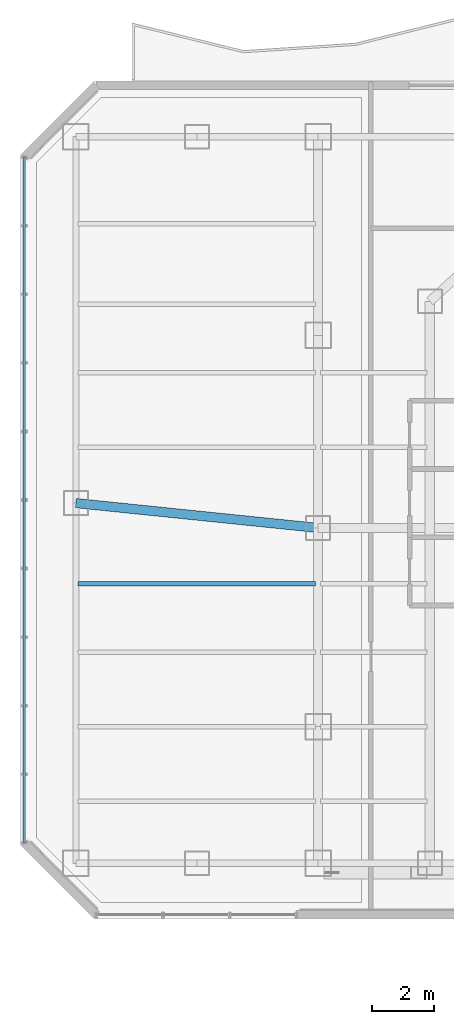
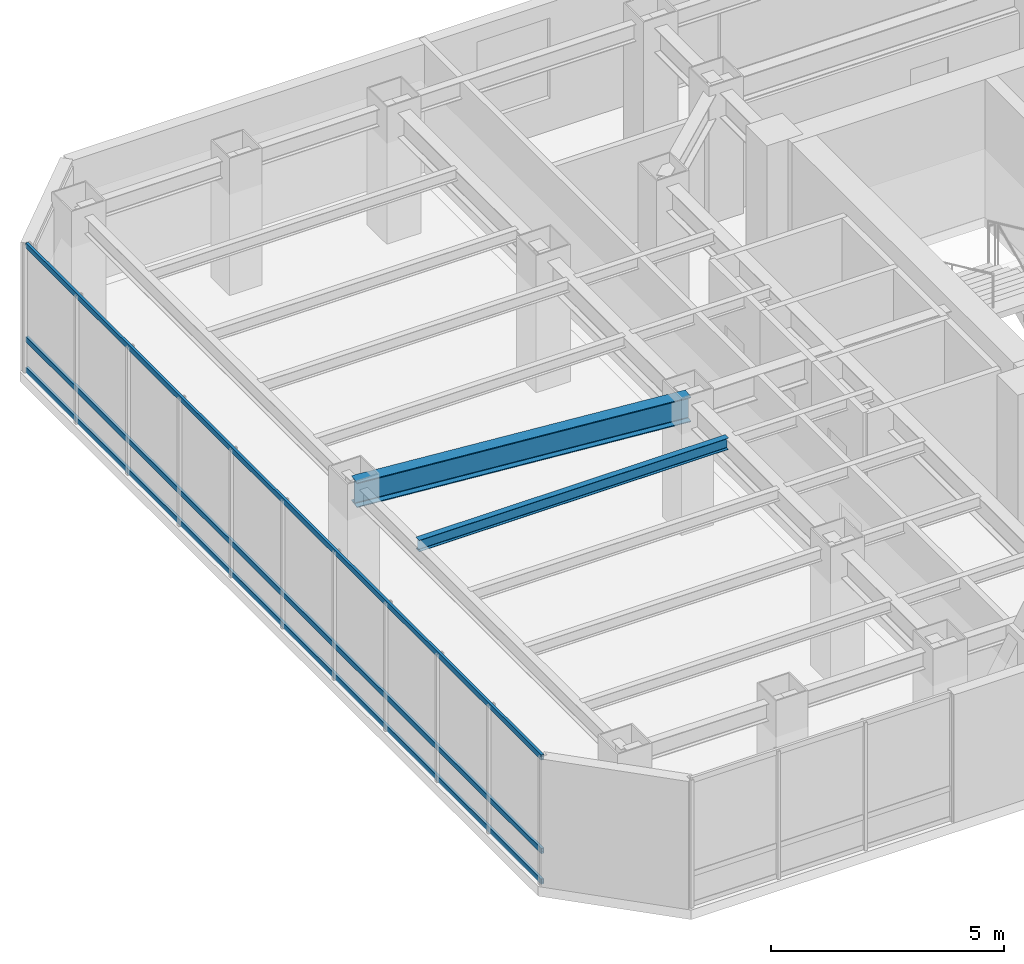
# One storey, part 7 of 26: 3 members, 2 beams, 1 element without a shape of its own.
"""IFC4 building model written with IfcOpenShell, lengths in metres."""

from ifc_helpers import new_model, si_unit, direction, frame, origin, origin_2d, place, context, subcontext, project, spatial, hollow_rectangle, i_section, extrude, material, layer, layer_set, material_profile, profile_set, type_object, element, aggregate, save


model = new_model("IFC4")

# Units and contexts
model_context = context("Model", 3, precision=1e-05, world=origin(), true_north=direction((0.0, 1.0)))
body_context = subcontext(model_context, "Body", "Model", "MODEL_VIEW")
ifc_project = project(units=[si_unit("LENGTHUNIT", "METRE"), si_unit("AREAUNIT", "SQUARE_METRE"), si_unit("VOLUMEUNIT", "CUBIC_METRE"), si_unit("PLANEANGLEUNIT", "RADIAN"), si_unit("MASSUNIT", "GRAM", prefix="KILO")], contexts=[model_context])

# Site, building, storey
site_placement = place(None, origin())
site = spatial("IfcSite", under=ifc_project, at=site_placement, CompositionType="ELEMENT")
building_placement = place(site_placement, origin())
building = spatial("IfcBuilding", under=site, at=building_placement, Name="Hatsunagi Terrace Concourse", CompositionType="ELEMENT")
storey_placement = place(building_placement, frame((0.0, 0.0, 134.85009765625)))
storey = spatial("IfcBuildingStorey", under=building, at=storey_placement, Name="L35", CompositionType="ELEMENT", Elevation=134.85009765625)

# Curtain wall, members
ifc_material_1 = material(Name="Anodised Aluminium Alloy 6063-T5", Category="aluminium")
ifc_layer = layer(ifc_material_1, 0.199951171875)
ifc_layer_set = layer_set([ifc_layer], Name="OfficeZone1_CW03")
curtain_wall_type = type_object("IfcCurtainWallType", Name="OfficeZone1_CW03", PredefinedType="NOTDEFINED", material=ifc_layer_set)
curtain_wall_placement = place(storey_placement, origin())
curtain_wall = element("IfcCurtainWall", 1, at=curtain_wall_placement, inside=storey, type_object=curtain_wall_type, Name="Unitised Curtain Wall CW-03 CW-L35-09", PredefinedType="NOTDEFINED")
ifc_material_2 = material(Name="Anodised Aluminium Alloy 6063-T5", Category="aluminium")
ifc_material_profile_1 = material_profile(ifc_material_2, hollow_rectangle(XDim=0.06494140625, YDim=0.139892578125, WallThickness=0.00390625, at=origin_2d()), Name="ALU-TRN-140x65x4")
ifc_profile_set_1 = profile_set([ifc_material_profile_1], Name="Anodised Aluminium Alloy 6063-T5")
member_type = type_object("IfcMemberType", Name="CurtainWallTransom_140x65", PredefinedType="USERDEFINED", material=ifc_profile_set_1)
member_1_placement = place(storey_placement, frame((9.739990234375, 25.85791015625, 0.0498046875), z_axis=(0.0, 1.0, 0.0), x_axis=(-1.0, 0.0, 0.0)))
member_1 = element("IfcMember", 2, at=member_1_placement, type_object=member_type, Name="Curtain Wall Transom TRN-02", ObjectType="TRANSOM", PredefinedType="USERDEFINED", context=body_context, shape_type="SweptSolid", body=[
    extrude(hollow_rectangle(XDim=0.06494140625, YDim=0.139892578125, WallThickness=0.00390625, at=origin_2d()), origin(), (0.0, 0.0, 1.0), 22.083984375),
])
member_2_placement = place(storey_placement, frame((9.739990234375, 25.85791015625, 0.849853515625), z_axis=(0.0, 1.0, 0.0), x_axis=(-1.0, 0.0, 0.0)))
member_2 = element("IfcMember", 3, at=member_2_placement, type_object=member_type, Name="Curtain Wall Transom TRN-02", ObjectType="TRANSOM", PredefinedType="USERDEFINED", context=body_context, shape_type="SweptSolid", body=[
    extrude(hollow_rectangle(XDim=0.06494140625, YDim=0.139892578125, WallThickness=0.00390625, at=origin_2d()), origin(), (0.0, 0.0, 1.0), 22.083984375),
])
member_3_placement = place(storey_placement, frame((9.739990234375, 25.85791015625, 3.2998046875), z_axis=(0.0, 1.0, 0.0), x_axis=(-1.0, 0.0, 0.0)))
member_3 = element("IfcMember", 4, at=member_3_placement, type_object=member_type, Name="Curtain Wall Transom TRN-02", ObjectType="TRANSOM", PredefinedType="USERDEFINED", context=body_context, shape_type="SweptSolid", body=[
    extrude(hollow_rectangle(XDim=0.06494140625, YDim=0.139892578125, WallThickness=0.00390625, at=origin_2d()), origin(), (0.0, 0.0, 1.0), 22.083984375),
])
aggregate(curtain_wall, [member_1, member_2, member_3])

# Beams
ifc_material_3 = material(Name="Steel SN490B", Category="steel")
ifc_material_profile_2 = material_profile(ifc_material_3, i_section(OverallWidth=0.14990234375, OverallDepth=0.300048828125, WebThickness=0.006591796875, FlangeThickness=0.009033203125, FilletRadius=0.010986328125, at=origin_2d()), Name="H-300x150x6.5x9")
ifc_profile_set_2 = profile_set([ifc_material_profile_2], Name="Steel SN490B")
beam_type_1 = type_object("IfcBeamType", Name="OfficeJoist_H_300x150", PredefinedType="JOIST", material=ifc_profile_set_2)
beam_1_placement = place(storey_placement, frame((11.465087890625, 34.199951171875, 3.199951171875), z_axis=(1.0, 0.0, 0.0), x_axis=(0.0, 1.0, 0.0)))
element("IfcBeam", 5, at=beam_1_placement, inside=storey, type_object=beam_type_1, Name="Beam J-03 J-L35-W-11-342", PredefinedType="JOIST", context=body_context, shape_type="SweptSolid", body=[
    extrude(i_section(OverallWidth=0.14990234375, OverallDepth=0.300048828125, WebThickness=0.006591796875, FlangeThickness=0.009033203125, FilletRadius=0.010986328125, at=origin_2d()), origin(), (0.0, 0.0, 1.0), 7.64990234375),
])
ifc_material_4 = material(Name="Steel SN490B", Category="steel")
ifc_material_profile_3 = material_profile(ifc_material_4, i_section(OverallWidth=0.300048828125, OverallDepth=0.64990234375, WebThickness=0.012939453125, FlangeThickness=0.02197265625, FilletRadius=0.01806640625, at=origin_2d()), Name="H-650x300x13x22")
ifc_profile_set_3 = profile_set([ifc_material_profile_3], Name="Steel SN490B")
beam_type_2 = type_object("IfcBeamType", Name="OfficeLowGirder_H_650x300", PredefinedType="BEAM", material=ifc_profile_set_3)
beam_2_placement = place(storey_placement, frame((11.39990234375, 36.800048828125, 3.02490234375), z_axis=(0.994780871372, -0.102034395927, 0.0), x_axis=(0.102034395927, 0.994780871372, 0.0)))
element("IfcBeam", 6, at=beam_2_placement, inside=storey, type_object=beam_type_2, Name="Beam G-05 BM-L35-EW-2", PredefinedType="BEAM", context=body_context, shape_type="SweptSolid", body=[
    extrude(i_section(OverallWidth=0.300048828125, OverallDepth=0.64990234375, WebThickness=0.012939453125, FlangeThickness=0.02197265625, FilletRadius=0.01806640625, at=origin_2d()), origin(), (0.0, 0.0, 1.0), 7.841064453125),
])

save(model, "model.ifc")
